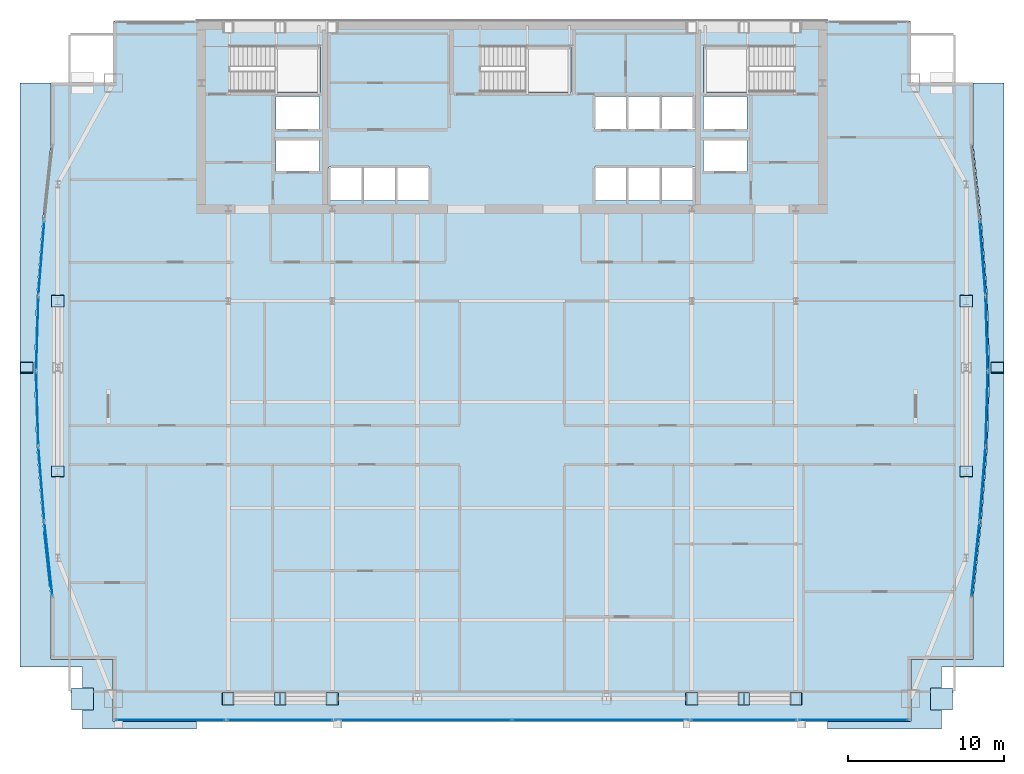
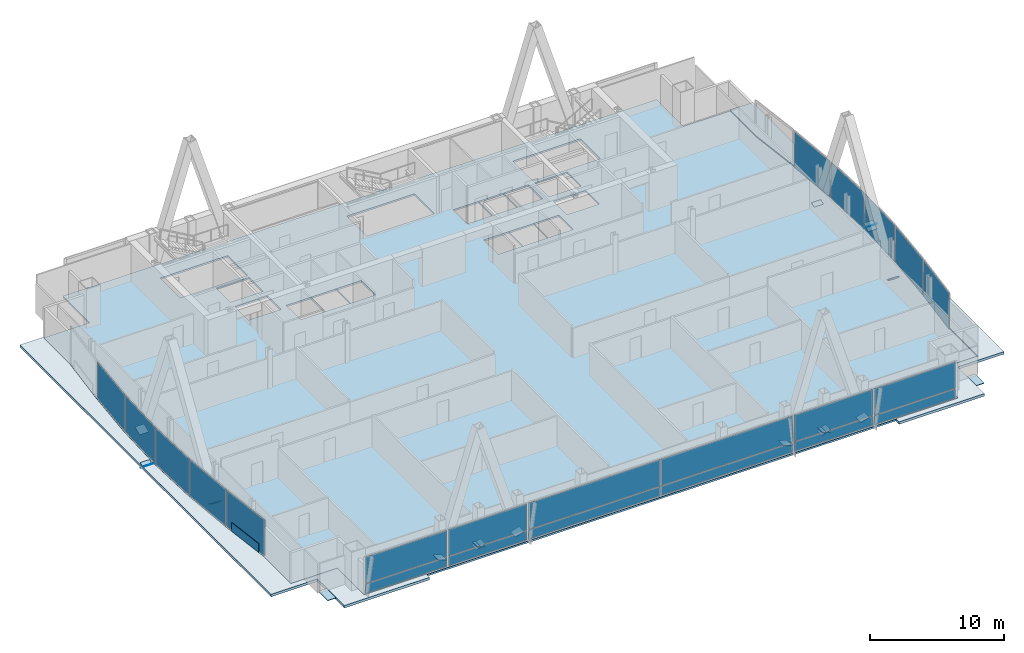
# One storey, part 25 of 32: 41 plates, 3 slabs, 15 elements without a shape of their own.
"""IFC4 building model written with IfcOpenShell, lengths in metres."""

from ifc_helpers import new_model, si_unit, direction, frame, origin, origin_2d, place, context, subcontext, project, spatial, polyline, rectangle, outline, extrude, material, layer, layer_set, type_object, element, aggregate, save


model = new_model("IFC4")

# Units and contexts
model_context = context("Model", 3, precision=1e-05, world=origin(), true_north=direction((0.0, 1.0)))
body_context = subcontext(model_context, "Body", "Model", "MODEL_VIEW")
ifc_project = project(units=[si_unit("LENGTHUNIT", "METRE"), si_unit("AREAUNIT", "SQUARE_METRE"), si_unit("VOLUMEUNIT", "CUBIC_METRE"), si_unit("PLANEANGLEUNIT", "RADIAN"), si_unit("MASSUNIT", "GRAM", prefix="KILO")], contexts=[model_context])

# Site, building, storey
site_placement = place(None, origin())
site = spatial("IfcSite", under=ifc_project, at=site_placement, CompositionType="ELEMENT")
building_placement = place(site_placement, origin())
building = spatial("IfcBuilding", under=site, at=building_placement, Name="Khoronbel Lancet Exchange", CompositionType="ELEMENT")
storey_placement = place(building_placement, frame((0.0, 0.0, 188.60009765625)))
storey = spatial("IfcBuildingStorey", under=building, at=storey_placement, Name="L47", CompositionType="ELEMENT", Elevation=188.60009765625)

# Curtain wall, plate
ifc_material_1 = material(Name="Low-E Solar Control Insulating Glass", Category="glass")
curtain_wall_type_1 = type_object("IfcCurtainWallType", Name="CW-4", PredefinedType="NOTDEFINED", material=ifc_material_1)
curtain_wall_1_placement = place(storey_placement, origin())
curtain_wall_1 = element("IfcCurtainWall", 1, at=curtain_wall_1_placement, inside=storey, type_object=curtain_wall_type_1, Name="Unitised curtain wall CW-L47-E04", PredefinedType="NOTDEFINED")
ifc_material_2 = material(Name="Bronze-Anodised Aluminium 6063-T6", Category="aluminium")
ifc_layer_1 = layer(ifc_material_2, 0.050048828125, Name="Bronze-Anodised Aluminium 6063-T6")
ifc_layer_set_1 = layer_set([ifc_layer_1], Name="Bronze-Anodised Aluminium 6063-T6")
plate_type_1 = type_object("IfcPlateType", Name="PLT-CSP1", PredefinedType="SHEET", material=ifc_layer_set_1)
plate_1_placement = place(storey_placement, frame((6.61767578125, 19.11669921875, 0.0498046875), z_axis=(0.0, 0.0, 1.0), x_axis=(-0.107990289834, 0.994151948799, 0.0)))
plate_1 = element("IfcPlate", 2, at=plate_1_placement, type_object=plate_type_1, Name="Insulated bronze spandrel cassette CW-L47-E04", PredefinedType="SHEET", context=body_context, shape_type="SweptSolid", body=[
    extrude(rectangle(XDim=3.40576171875, YDim=0.050048828125, at=origin_2d()), origin(), (0.0, 0.0, 1.0), 0.800048828125),
])

curtain_wall_2_placement = place(storey_placement, origin())
curtain_wall_2 = element("IfcCurtainWall", 3, at=curtain_wall_2_placement, inside=storey, type_object=curtain_wall_type_1, Name="Unitised curtain wall CW-L47-E05", PredefinedType="NOTDEFINED")
plate_2_placement = place(storey_placement, frame((6.22265625, 23.95654296875, 0.0849609375), z_axis=(0.0, 0.0, 1.0), x_axis=(-0.079254661653, 0.996854401909, 0.0)))
plate_2 = element("IfcPlate", 4, at=plate_2_placement, type_object=plate_type_1, Name="CW4 panel 1.1", PredefinedType="CURTAIN_PANEL", context=body_context, shape_type="SweptSolid", body=[
    extrude(rectangle(XDim=4.695068359375, YDim=0.0380859375, at=origin_2d()), origin(), (0.0, 0.0, 1.0), 3.27001953125),
])
aggregate(curtain_wall_2, [plate_2])

curtain_wall_3_placement = place(storey_placement, origin())
curtain_wall_3 = element("IfcCurtainWall", 5, at=curtain_wall_3_placement, inside=storey, type_object=curtain_wall_type_1, Name="Unitised curtain wall CW-L47-E06", PredefinedType="NOTDEFINED")
plate_3_placement = place(storey_placement, frame((5.960205078125, 28.785888671875, 0.0849609375), z_axis=(0.0, 0.0, 1.0), x_axis=(-0.029107039142, 0.999576300376, 0.0)))
plate_3 = element("IfcPlate", 6, at=plate_3_placement, type_object=plate_type_1, Name="CW4 panel 1.1", PredefinedType="CURTAIN_PANEL", context=body_context, shape_type="SweptSolid", body=[
    extrude(rectangle(XDim=4.680419921875, YDim=0.0380859375, at=origin_2d()), origin(), (0.0, 0.0, 1.0), 3.27001953125),
])
aggregate(curtain_wall_3, [plate_3])

curtain_wall_4_placement = place(storey_placement, origin())
curtain_wall_4 = element("IfcCurtainWall", 7, at=curtain_wall_4_placement, inside=storey, type_object=curtain_wall_type_1, Name="Unitised curtain wall CW-L47-E07", PredefinedType="NOTDEFINED")
plate_4_placement = place(storey_placement, frame((5.960205078125, 33.6142578125, 0.0849609375), z_axis=(0.0, 0.0, 1.0), x_axis=(0.029107039142, 0.999576300376, 0.0)))
plate_4 = element("IfcPlate", 8, at=plate_4_placement, type_object=plate_type_1, Name="CW4 panel 1.1", PredefinedType="CURTAIN_PANEL", context=body_context, shape_type="SweptSolid", body=[
    extrude(rectangle(XDim=4.680419921875, YDim=0.0380859375, at=origin_2d()), origin(), (0.0, 0.0, 1.0), 3.27001953125),
])
aggregate(curtain_wall_4, [plate_4])

curtain_wall_5_placement = place(storey_placement, origin())
curtain_wall_5 = element("IfcCurtainWall", 9, at=curtain_wall_5_placement, inside=storey, type_object=curtain_wall_type_1, Name="Unitised curtain wall CW-L47-E08", PredefinedType="NOTDEFINED")
plate_5_placement = place(storey_placement, frame((6.22265625, 38.443359375, 0.0849609375), z_axis=(0.0, 0.0, 1.0), x_axis=(0.079254661653, 0.996854401909, 0.0)))
plate_5 = element("IfcPlate", 10, at=plate_5_placement, type_object=plate_type_1, Name="CW4 panel 1.1", PredefinedType="CURTAIN_PANEL", context=body_context, shape_type="SweptSolid", body=[
    extrude(rectangle(XDim=4.695068359375, YDim=0.0380859375, at=origin_2d()), origin(), (0.0, 0.0, 1.0), 3.27001953125),
])
aggregate(curtain_wall_5, [plate_5])

curtain_wall_6_placement = place(storey_placement, origin())
curtain_wall_6 = element("IfcCurtainWall", 11, at=curtain_wall_6_placement, inside=storey, type_object=curtain_wall_type_1, Name="Unitised curtain wall CW-L47-E18", PredefinedType="NOTDEFINED")
plate_6_placement = place(storey_placement, frame((66.677490234375, 38.443359375, 0.0849609375), z_axis=(0.0, 0.0, 1.0), x_axis=(0.079254661653, -0.996854401909, 0.0)))
plate_6 = element("IfcPlate", 12, at=plate_6_placement, type_object=plate_type_1, Name="CW4 panel 1.1", PredefinedType="CURTAIN_PANEL", context=body_context, shape_type="SweptSolid", body=[
    extrude(rectangle(XDim=4.695068359375, YDim=0.0380859375, at=origin_2d()), origin(), (0.0, 0.0, 1.0), 3.27001953125),
])
aggregate(curtain_wall_6, [plate_6])

curtain_wall_7_placement = place(storey_placement, origin())
curtain_wall_7 = element("IfcCurtainWall", 13, at=curtain_wall_7_placement, inside=storey, type_object=curtain_wall_type_1, Name="Unitised curtain wall CW-L47-E19", PredefinedType="NOTDEFINED")
plate_7_placement = place(storey_placement, frame((66.939697265625, 33.6142578125, 0.0849609375), z_axis=(0.0, 0.0, 1.0), x_axis=(0.029107039142, -0.999576300376, 0.0)))
plate_7 = element("IfcPlate", 14, at=plate_7_placement, type_object=plate_type_1, Name="CW4 panel 1.1", PredefinedType="CURTAIN_PANEL", context=body_context, shape_type="SweptSolid", body=[
    extrude(rectangle(XDim=4.680419921875, YDim=0.0380859375, at=origin_2d()), origin(), (0.0, 0.0, 1.0), 3.27001953125),
])
aggregate(curtain_wall_7, [plate_7])

curtain_wall_8_placement = place(storey_placement, origin())
curtain_wall_8 = element("IfcCurtainWall", 15, at=curtain_wall_8_placement, inside=storey, type_object=curtain_wall_type_1, Name="Unitised curtain wall CW-L47-E20", PredefinedType="NOTDEFINED")
plate_8_placement = place(storey_placement, frame((66.939697265625, 28.785888671875, 0.0849609375), z_axis=(0.0, 0.0, 1.0), x_axis=(-0.029107039142, -0.999576300376, 0.0)))
plate_8 = element("IfcPlate", 16, at=plate_8_placement, type_object=plate_type_1, Name="CW4 panel 1.1", PredefinedType="CURTAIN_PANEL", context=body_context, shape_type="SweptSolid", body=[
    extrude(rectangle(XDim=4.680419921875, YDim=0.0380859375, at=origin_2d()), origin(), (0.0, 0.0, 1.0), 3.27001953125),
])
aggregate(curtain_wall_8, [plate_8])

curtain_wall_9_placement = place(storey_placement, origin())
curtain_wall_9 = element("IfcCurtainWall", 17, at=curtain_wall_9_placement, inside=storey, type_object=curtain_wall_type_1, Name="Unitised curtain wall CW-L47-E21", PredefinedType="NOTDEFINED")
plate_9_placement = place(storey_placement, frame((66.677490234375, 23.95654296875, 0.0849609375), z_axis=(0.0, 0.0, 1.0), x_axis=(-0.079254661653, -0.996854401909, 0.0)))
plate_9 = element("IfcPlate", 18, at=plate_9_placement, type_object=plate_type_1, Name="CW4 panel 1.1", PredefinedType="CURTAIN_PANEL", context=body_context, shape_type="SweptSolid", body=[
    extrude(rectangle(XDim=4.695068359375, YDim=0.0380859375, at=origin_2d()), origin(), (0.0, 0.0, 1.0), 3.27001953125),
])
aggregate(curtain_wall_9, [plate_9])

# Curtain wall, plates
curtain_wall_type_2 = type_object("IfcCurtainWallType", Name="CW-3", PredefinedType="NOTDEFINED", material=ifc_material_1)
curtain_wall_10_placement = place(storey_placement, origin())
curtain_wall_10 = element("IfcCurtainWall", 19, at=curtain_wall_10_placement, inside=storey, type_object=curtain_wall_type_2, Name="Unitised curtain wall CW-L47-SWB", PredefinedType="NOTDEFINED")
plate_10_placement = place(storey_placement, frame((21.550048828125, 8.7900390625, 0.0849609375), z_axis=(0.0, 0.0, 1.0), x_axis=(1.0, 0.0, 0.0)))
plate_10 = element("IfcPlate", 20, at=plate_10_placement, type_object=plate_type_1, Name="CW3 panel 1.1", PredefinedType="CURTAIN_PANEL", context=body_context, shape_type="SweptSolid", body=[
    extrude(rectangle(XDim=6.72998046875, YDim=0.0380859375, at=origin_2d()), origin(), (0.0, 0.0, 1.0), 0.822509765625),
])
plate_11_placement = place(storey_placement, frame((21.550048828125, 8.7900390625, 0.9921875), z_axis=(0.0, 0.0, 1.0), x_axis=(1.0, 0.0, 0.0)))
plate_11 = element("IfcPlate", 21, at=plate_11_placement, type_object=plate_type_1, Name="CW3 panel 1.2", PredefinedType="CURTAIN_PANEL", context=body_context, shape_type="SweptSolid", body=[
    extrude(rectangle(XDim=6.72998046875, YDim=0.0380859375, at=origin_2d()), origin(), (0.0, 0.0, 1.0), 2.362548828125),
])
aggregate(curtain_wall_10, [plate_10, plate_11])

curtain_wall_11_placement = place(storey_placement, origin())
curtain_wall_11 = element("IfcCurtainWall", 22, at=curtain_wall_11_placement, inside=storey, type_object=curtain_wall_type_2, Name="Unitised curtain wall CW-L47-SEB", PredefinedType="NOTDEFINED")
plate_12_placement = place(storey_placement, frame((51.35009765625, 8.7900390625, 0.0849609375), z_axis=(0.0, 0.0, 1.0), x_axis=(1.0, 0.0, 0.0)))
plate_12 = element("IfcPlate", 23, at=plate_12_placement, type_object=plate_type_1, Name="CW3 panel 1.1", PredefinedType="CURTAIN_PANEL", context=body_context, shape_type="SweptSolid", body=[
    extrude(rectangle(XDim=6.72998046875, YDim=0.0380859375, at=origin_2d()), origin(), (0.0, 0.0, 1.0), 0.822509765625),
])
plate_13_placement = place(storey_placement, frame((51.35009765625, 8.7900390625, 0.9921875), z_axis=(0.0, 0.0, 1.0), x_axis=(1.0, 0.0, 0.0)))
plate_13 = element("IfcPlate", 24, at=plate_13_placement, type_object=plate_type_1, Name="CW3 panel 1.2", PredefinedType="CURTAIN_PANEL", context=body_context, shape_type="SweptSolid", body=[
    extrude(rectangle(XDim=6.72998046875, YDim=0.0380859375, at=origin_2d()), origin(), (0.0, 0.0, 1.0), 2.362548828125),
])
aggregate(curtain_wall_11, [plate_12, plate_13])

curtain_wall_12_placement = place(storey_placement, origin())
curtain_wall_12 = element("IfcCurtainWall", 25, at=curtain_wall_12_placement, inside=storey, type_object=curtain_wall_type_2, Name="Unitised curtain wall CW-L47-SWV", PredefinedType="NOTDEFINED")
ifc_layer_2 = layer(ifc_material_1, 0.035888671875, Name="Low-E Solar Control Insulating Glass")
ifc_layer_set_2 = layer_set([ifc_layer_2], Name="Low-E Solar Control Insulating Glass")
plate_type_2 = type_object("IfcPlateType", Name="PLT-CWP1", PredefinedType="CURTAIN_PANEL", material=ifc_layer_set_2)
plate_14_placement = place(storey_placement, frame((14.52001953125, 8.7900390625, 0.0849609375), z_axis=(0.0, 0.0, 1.0), x_axis=(1.0, 0.0, 0.0)))
plate_14 = element("IfcPlate", 26, at=plate_14_placement, type_object=plate_type_2, Name="CW3 panel 1.1", PredefinedType="CURTAIN_PANEL", context=body_context, shape_type="SweptSolid", body=[
    extrude(rectangle(XDim=6.989990234375, YDim=0.0380859375, at=origin_2d()), origin(), (0.0, 0.0, 1.0), 0.822509765625),
])
plate_15_placement = place(storey_placement, frame((14.52001953125, 8.7900390625, 0.9921875), z_axis=(0.0, 0.0, 1.0), x_axis=(1.0, 0.0, 0.0)))
plate_15 = element("IfcPlate", 27, at=plate_15_placement, type_object=plate_type_2, Name="CW3 panel 1.2", PredefinedType="CURTAIN_PANEL", context=body_context, shape_type="SweptSolid", body=[
    extrude(rectangle(XDim=6.989990234375, YDim=0.0380859375, at=origin_2d()), origin(), (0.0, 0.0, 1.0), 2.362548828125),
])
aggregate(curtain_wall_12, [plate_14, plate_15])

curtain_wall_13_placement = place(storey_placement, origin())
curtain_wall_13 = element("IfcCurtainWall", 28, at=curtain_wall_13_placement, inside=storey, type_object=curtain_wall_type_2, Name="Unitised curtain wall CW-L47-SCV", PredefinedType="NOTDEFINED")
plate_16_placement = place(storey_placement, frame((30.746337890625, 8.7900390625, 0.0849609375), z_axis=(0.0, 0.0, 1.0), x_axis=(1.0, 0.0, 0.0)))
plate_16 = element("IfcPlate", 29, at=plate_16_placement, type_object=plate_type_2, Name="CW3 panel 1.1", PredefinedType="CURTAIN_PANEL", context=body_context, shape_type="SweptSolid", body=[
    extrude(rectangle(XDim=11.322509765625, YDim=0.0380859375, at=origin_2d()), origin(), (0.0, 0.0, 1.0), 0.822509765625),
])
plate_17_placement = place(storey_placement, frame((30.746337890625, 8.7900390625, 0.9921875), z_axis=(0.0, 0.0, 1.0), x_axis=(1.0, 0.0, 0.0)))
plate_17 = element("IfcPlate", 30, at=plate_17_placement, type_object=plate_type_2, Name="CW3 panel 1.2", PredefinedType="CURTAIN_PANEL", context=body_context, shape_type="SweptSolid", body=[
    extrude(rectangle(XDim=11.322509765625, YDim=0.0380859375, at=origin_2d()), origin(), (0.0, 0.0, 1.0), 2.362548828125),
])
plate_18_placement = place(storey_placement, frame((42.15380859375, 8.7900390625, 0.0849609375), z_axis=(0.0, 0.0, 1.0), x_axis=(1.0, 0.0, 0.0)))
plate_18 = element("IfcPlate", 31, at=plate_18_placement, type_object=plate_type_2, Name="CW3 panel 2.1", PredefinedType="CURTAIN_PANEL", context=body_context, shape_type="SweptSolid", body=[
    extrude(rectangle(XDim=11.322509765625, YDim=0.0380859375, at=origin_2d()), origin(), (0.0, 0.0, 1.0), 0.822509765625),
])
plate_19_placement = place(storey_placement, frame((42.15380859375, 8.7900390625, 0.9921875), z_axis=(0.0, 0.0, 1.0), x_axis=(1.0, 0.0, 0.0)))
plate_19 = element("IfcPlate", 32, at=plate_19_placement, type_object=plate_type_2, Name="CW3 panel 2.2", PredefinedType="CURTAIN_PANEL", context=body_context, shape_type="SweptSolid", body=[
    extrude(rectangle(XDim=11.322509765625, YDim=0.0380859375, at=origin_2d()), origin(), (0.0, 0.0, 1.0), 2.362548828125),
])
aggregate(curtain_wall_13, [plate_16, plate_17, plate_18, plate_19])

curtain_wall_14_placement = place(storey_placement, origin())
curtain_wall_14 = element("IfcCurtainWall", 33, at=curtain_wall_14_placement, inside=storey, type_object=curtain_wall_type_2, Name="Unitised curtain wall CW-L47-SEV", PredefinedType="NOTDEFINED")
plate_20_placement = place(storey_placement, frame((58.3798828125, 8.7900390625, 0.0849609375), z_axis=(0.0, 0.0, 1.0), x_axis=(1.0, 0.0, 0.0)))
plate_20 = element("IfcPlate", 34, at=plate_20_placement, type_object=plate_type_2, Name="CW3 panel 1.1", PredefinedType="CURTAIN_PANEL", context=body_context, shape_type="SweptSolid", body=[
    extrude(rectangle(XDim=6.989990234375, YDim=0.0380859375, at=origin_2d()), origin(), (0.0, 0.0, 1.0), 0.822509765625),
])
plate_21_placement = place(storey_placement, frame((58.3798828125, 8.7900390625, 0.9921875), z_axis=(0.0, 0.0, 1.0), x_axis=(1.0, 0.0, 0.0)))
plate_21 = element("IfcPlate", 35, at=plate_21_placement, type_object=plate_type_2, Name="CW3 panel 1.2", PredefinedType="CURTAIN_PANEL", context=body_context, shape_type="SweptSolid", body=[
    extrude(rectangle(XDim=6.989990234375, YDim=0.0380859375, at=origin_2d()), origin(), (0.0, 0.0, 1.0), 2.362548828125),
])
aggregate(curtain_wall_14, [plate_20, plate_21])

# Plate
ifc_material_3 = material(Name="Ceramic-Fritted Laminated Insulating Glass", Category="glass")
ifc_layer_3 = layer(ifc_material_3, 0.0419921875, Name="Ceramic-Fritted Laminated Insulating Glass")
ifc_layer_set_3 = layer_set([ifc_layer_3], Name="Ceramic-Fritted Laminated Insulating Glass")
plate_type_3 = type_object("IfcPlateType", Name="PLT-CWP2", PredefinedType="CURTAIN_PANEL", material=ifc_layer_set_3)
plate_22_placement = place(storey_placement, frame((6.67724609375, 19.123291015625, 0.0849609375), z_axis=(0.0, 0.0, 1.0), x_axis=(-0.107990289834, 0.994151948799, 0.0)))
plate_22 = element("IfcPlate", 36, at=plate_22_placement, type_object=plate_type_3, Name="CW4 panel 1.1", PredefinedType="CURTAIN_PANEL", context=body_context, shape_type="SweptSolid", body=[
    extrude(rectangle(XDim=4.71533203125, YDim=0.0380859375, at=origin_2d()), origin(), (0.0, 0.0, 1.0), 3.27001953125),
])

aggregate(curtain_wall_1, [plate_22, plate_1])

# Curtain wall, plate
curtain_wall_15_placement = place(storey_placement, origin())
curtain_wall_15 = element("IfcCurtainWall", 37, at=curtain_wall_15_placement, inside=storey, type_object=curtain_wall_type_1, Name="Unitised curtain wall CW-L47-E22", PredefinedType="NOTDEFINED")
plate_23_placement = place(storey_placement, frame((66.22265625, 19.123291015625, 0.0849609375), z_axis=(0.0, 0.0, 1.0), x_axis=(-0.107990289834, -0.994151948799, 0.0)))
plate_23 = element("IfcPlate", 38, at=plate_23_placement, type_object=plate_type_3, Name="CW4 panel 1.1", PredefinedType="CURTAIN_PANEL", context=body_context, shape_type="SweptSolid", body=[
    extrude(rectangle(XDim=4.71533203125, YDim=0.0380859375, at=origin_2d()), origin(), (0.0, 0.0, 1.0), 3.27001953125),
])
aggregate(curtain_wall_15, [plate_23])

# Plates
ifc_material_4 = material(Name="Steel S460", Category="steel")
ifc_layer_4 = layer(ifc_material_4, 0.044921875, Name="Steel S460")
ifc_layer_set_4 = layer_set([ifc_layer_4], Name="Steel S460")
plate_type_4 = type_object("IfcPlateType", Name="PLT-ECP1", PredefinedType="USERDEFINED", material=ifc_layer_set_4)
plate_24_placement = place(storey_placement, frame((0.0, 0.0, -0.01220703125)))
element("IfcPlate", 39, at=plate_24_placement, inside=storey, type_object=plate_type_4, Name="Hollow end cap plate PLT-CAP-COL-L46-MC-SW-TOP", ObjectType="STIFFENER_PLATE", PredefinedType="USERDEFINED", context=body_context, shape_type="SweptSolid", body=[
    extrude(outline(polyline([(8.14501953125, 9.445068359375), (9.554931640625, 9.445068359375), (9.554931640625, 10.85498046875), (8.14501953125, 10.85498046875), (8.14501953125, 9.445068359375)])), origin(), (0.0, 0.0, 1.0), 0.045166015625),
])
plate_25_placement = place(storey_placement, frame((0.0, 0.0, -0.01220703125)))
element("IfcPlate", 40, at=plate_25_placement, inside=storey, type_object=plate_type_4, Name="Hollow end cap plate PLT-CAP-COL-L46-MC-SE-TOP", ObjectType="STIFFENER_PLATE", PredefinedType="USERDEFINED", context=body_context, shape_type="SweptSolid", body=[
    extrude(outline(polyline([(63.344970703125, 9.445068359375), (64.7548828125, 9.445068359375), (64.7548828125, 10.85498046875), (63.344970703125, 10.85498046875), (63.344970703125, 9.445068359375)])), origin(), (0.0, 0.0, 1.0), 0.045166015625),
])
for number, where, z_axis, x_axis, name in (
    (41, (21.9443359375, 9.75, -0.12353515625), (0.384875433743, 0.0, 0.922968526279), (0.0, 1.0, 0.0), "Hollow end cap plate PLT-CAP-MEM-MB-T15-S-W-L-1"),
    (42, (21.1806640625, 10.550048828125, -0.12353515625), (-0.384875433743, 0.0, 0.922968526279), (0.0, -1.0, 0.0), "Hollow end cap plate PLT-CAP-MEM-MB-T15-S-W-R-1"),
):
    element("IfcPlate", number, at=place(storey_placement, frame(where, z_axis=z_axis, x_axis=x_axis)), inside=storey, type_object=plate_type_4, Name=name, ObjectType="STIFFENER_PLATE", PredefinedType="USERDEFINED", context=body_context, shape_type="SweptSolid", body=[
        extrude(outline(polyline([(0.0, 0.0), (0.800048828125, 0.0), (0.800048828125, 0.7998046875), (0.0, 0.7998046875), (0.0, 0.0)])), origin(), (0.0, 0.0, -1.0), 0.044921875),
    ])
plate_26_placement = place(storey_placement, frame((51.719482421875, 9.75, -0.12353515625), z_axis=(0.384767040928, 0.0, 0.923013718325), x_axis=(0.0, 1.0, 0.0)))
element("IfcPlate", 43, at=plate_26_placement, inside=storey, type_object=plate_type_4, Name="Hollow end cap plate PLT-CAP-MEM-MB-T15-S-E-L-1", ObjectType="STIFFENER_PLATE", PredefinedType="USERDEFINED", context=body_context, shape_type="SweptSolid", body=[
    extrude(outline(polyline([(0.0, 0.0), (0.800048828125, 0.0), (0.800048828125, 0.800048828125), (0.0, 0.800048828125), (0.0, 0.0)])), origin(), (0.0, 0.0, -1.0), 0.044921875),
])
plate_27_placement = place(storey_placement, frame((50.95556640625, 10.550048828125, -0.12353515625), z_axis=(-0.384875433743, 0.0, 0.922968526279), x_axis=(0.0, -1.0, 0.0)))
element("IfcPlate", 44, at=plate_27_placement, inside=storey, type_object=plate_type_4, Name="Hollow end cap plate PLT-CAP-MEM-MB-T15-S-E-R-1", ObjectType="STIFFENER_PLATE", PredefinedType="USERDEFINED", context=body_context, shape_type="SweptSolid", body=[
    extrude(outline(polyline([(0.0, 0.0), (0.800048828125, 0.0), (0.800048828125, 0.7998046875), (0.0, 0.7998046875), (0.0, 0.0)])), origin(), (0.0, 0.0, -1.0), 0.044921875),
])
for number, where, z_axis, x_axis, name in (
    (45, (5.669921875, 31.753173828125, -0.23095703125), (0.0, 0.640604572567, 0.767870940723), (-1.0, 0.0, 0.0), "Hollow end cap plate PLT-CAP-MEM-MB-T15-W-P-L-1"),
    (46, (4.8701171875, 31.056640625, -0.159423828125), (0.0, -0.47122173768, 0.88201478102), (1.0, 0.0, 0.0), "Hollow end cap plate PLT-CAP-MEM-MB-T15-W-P-R-1"),
):
    element("IfcPlate", number, at=place(storey_placement, frame(where, z_axis=z_axis, x_axis=x_axis)), inside=storey, type_object=plate_type_4, Name=name, ObjectType="STIFFENER_PLATE", PredefinedType="USERDEFINED", context=body_context, shape_type="SweptSolid", body=[
        extrude(outline(polyline([(0.0, 0.0), (0.7998046875, 0.0), (0.7998046875, 0.800048828125), (0.0, 0.800048828125), (0.0, 0.0)])), origin(), (0.0, 0.0, -1.0), 0.044921875),
    ])
for number, where, z_axis, x_axis, name in (
    (47, (68.030029296875, 31.753173828125, -0.23095703125), (0.0, 0.640604572567, 0.767870940723), (-1.0, 0.0, 0.0), "Hollow end cap plate PLT-CAP-MEM-MB-T15-E-P-L-1"),
    (48, (67.22998046875, 31.056640625, -0.159423828125), (0.0, -0.47122173768, 0.88201478102), (1.0, 0.0, 0.0), "Hollow end cap plate PLT-CAP-MEM-MB-T15-E-P-R-1"),
):
    element("IfcPlate", number, at=place(storey_placement, frame(where, z_axis=z_axis, x_axis=x_axis)), inside=storey, type_object=plate_type_4, Name=name, ObjectType="STIFFENER_PLATE", PredefinedType="USERDEFINED", context=body_context, shape_type="SweptSolid", body=[
        extrude(outline(polyline([(0.0, 0.0), (0.800048828125, 0.0), (0.800048828125, 0.800048828125), (0.0, 0.800048828125), (0.0, 0.0)])), origin(), (0.0, 0.0, -1.0), 0.044921875),
    ])
for number, where, z_axis, x_axis, name in (
    (49, (18.610595703125, 9.75, -0.106689453125), (0.295179616828, 0.0, 0.955441779393), (0.0, 1.0, 0.0), "Hollow end cap plate PLT-CAP-MEM-MB-T16-S-W-L-0"),
    (50, (24.514404296875, 10.550048828125, -0.106689453125), (-0.295179616828, 0.0, 0.955441779393), (0.0, -1.0, 0.0), "Hollow end cap plate PLT-CAP-MEM-MB-T16-S-W-R-0"),
):
    element("IfcPlate", number, at=place(storey_placement, frame(where, z_axis=z_axis, x_axis=x_axis)), inside=storey, type_object=plate_type_4, Name=name, ObjectType="STIFFENER_PLATE", PredefinedType="USERDEFINED", context=body_context, shape_type="SweptSolid", body=[
        extrude(outline(polyline([(0.0, 0.0), (0.800048828125, 0.0), (0.800048828125, 0.7998046875), (0.0, 0.7998046875), (0.0, 0.0)])), origin(), (0.0, 0.0, -1.0), 0.044921875),
    ])
for number, where, z_axis, x_axis, name in (
    (51, (48.3857421875, 9.75, -0.106689453125), (0.295093551173, 0.0, 0.955468364759), (0.0, 1.0, 0.0), "Hollow end cap plate PLT-CAP-MEM-MB-T16-S-E-L-0"),
    (52, (54.289306640625, 10.550048828125, -0.106689453125), (-0.295093551173, 0.0, 0.955468364759), (0.0, -1.0, 0.0), "Hollow end cap plate PLT-CAP-MEM-MB-T16-S-E-R-0"),
):
    element("IfcPlate", number, at=place(storey_placement, frame(where, z_axis=z_axis, x_axis=x_axis)), inside=storey, type_object=plate_type_4, Name=name, ObjectType="STIFFENER_PLATE", PredefinedType="USERDEFINED", context=body_context, shape_type="SweptSolid", body=[
        extrude(outline(polyline([(0.0, 0.0), (0.800048828125, 0.0), (0.800048828125, 0.800048828125), (0.0, 0.800048828125), (0.0, 0.0)])), origin(), (0.0, 0.0, -1.0), 0.044921875),
    ])
for number, where, z_axis, x_axis, name in (
    (53, (7.669921875, 25.0966796875, -0.2001953125), (0.0, 0.525713722958, 0.850661555199), (-1.0, 0.0, 0.0), "Hollow end cap plate PLT-CAP-MEM-MB-T16-W-P-L-0"),
    (54, (6.8701171875, 35.32373046875, -0.13623046875), (0.0, -0.368020969419, 0.92981749073), (1.0, 0.0, 0.0), "Hollow end cap plate PLT-CAP-MEM-MB-T16-W-P-R-0"),
):
    element("IfcPlate", number, at=place(storey_placement, frame(where, z_axis=z_axis, x_axis=x_axis)), inside=storey, type_object=plate_type_4, Name=name, ObjectType="STIFFENER_PLATE", PredefinedType="USERDEFINED", context=body_context, shape_type="SweptSolid", body=[
        extrude(outline(polyline([(0.0, 0.0), (0.7998046875, 0.0), (0.7998046875, 0.800048828125), (0.0, 0.800048828125), (0.0, 0.0)])), origin(), (0.0, 0.0, -1.0), 0.044921875),
    ])
for number, where, z_axis, x_axis, name in (
    (55, (66.030029296875, 25.0966796875, -0.2001953125), (0.0, 0.525713722958, 0.850661555199), (-1.0, 0.0, 0.0), "Hollow end cap plate PLT-CAP-MEM-MB-T16-E-P-L-0"),
    (56, (65.22998046875, 35.32373046875, -0.13623046875), (0.0, -0.368020969419, 0.92981749073), (1.0, 0.0, 0.0), "Hollow end cap plate PLT-CAP-MEM-MB-T16-E-P-R-0"),
):
    element("IfcPlate", number, at=place(storey_placement, frame(where, z_axis=z_axis, x_axis=x_axis)), inside=storey, type_object=plate_type_4, Name=name, ObjectType="STIFFENER_PLATE", PredefinedType="USERDEFINED", context=body_context, shape_type="SweptSolid", body=[
        extrude(outline(polyline([(0.0, 0.0), (0.800048828125, 0.0), (0.800048828125, 0.800048828125), (0.0, 0.800048828125), (0.0, 0.0)])), origin(), (0.0, 0.0, -1.0), 0.044921875),
    ])

# Slabs
ifc_material_5 = material(Name="Concrete C40/50", Category="concrete")
ifc_layer_5 = layer(ifc_material_5, 0.159912109375, Name="Concrete C40/50")
ifc_layer_set_5 = layer_set([ifc_layer_5], Name="Concrete C40/50")
slab_type_1 = type_object("IfcSlabType", Name="SL-FL160", PredefinedType="FLOOR", material=ifc_layer_set_5)
slab_1_placement = place(storey_placement, frame((0.0, 0.0, -0.16015625)))
element("IfcSlab", 57, at=slab_1_placement, inside=storey, type_object=slab_type_1, Name="Level L47 composite structural floor slab", PredefinedType="FLOOR", context=body_context, shape_type="SweptSolid", body=[
    extrude(outline(polyline([(10.85009765625, 8.699951171875), (62.050048828125, 8.699951171875), (62.050048828125, 12.699951171875), (66.050048828125, 12.699951171875), (66.050048828125, 16.699951171875), (66.574951171875, 21.533203125), (66.959228515625, 26.36669921875), (67.10009765625, 31.199951171875), (66.959228515625, 36.033203125), (66.574951171875, 40.86669921875), (66.050048828125, 45.699951171875), (66.050048828125, 49.699951171875), (62.050048828125, 49.699951171875), (62.050048828125, 53.699951171875), (10.85009765625, 53.699951171875), (10.85009765625, 49.699951171875), (6.85009765625, 49.699951171875), (6.85009765625, 45.699951171875), (6.324951171875, 40.86669921875), (5.940673828125, 36.033203125), (5.800048828125, 31.199951171875), (5.940673828125, 26.36669921875), (6.324951171875, 21.533203125), (6.85009765625, 16.699951171875), (6.85009765625, 12.699951171875), (10.85009765625, 12.699951171875), (10.85009765625, 8.699951171875)]), holes=[polyline([(18.324951171875, 49.1201171875), (24.14990234375, 49.1201171875), (24.14990234375, 52.10009765625), (18.324951171875, 52.10009765625), (18.324951171875, 49.1201171875)]), polyline([(48.75, 49.1201171875), (54.574951171875, 49.1201171875), (54.574951171875, 52.10009765625), (48.75, 52.10009765625), (48.75, 49.1201171875)]), polyline([(34.425048828125, 49.1201171875), (40.25, 49.1201171875), (40.25, 52.10009765625), (34.425048828125, 52.10009765625), (34.425048828125, 49.1201171875)]), polyline([(24.699951171875, 42.14990234375), (26.840087890625, 42.14990234375), (26.840087890625, 44.300048828125), (24.699951171875, 44.300048828125), (24.699951171875, 42.14990234375)]), polyline([(26.860107421875, 42.14990234375), (29.0, 42.14990234375), (29.0, 44.300048828125), (26.860107421875, 44.300048828125), (26.860107421875, 42.14990234375)]), polyline([(29.02001953125, 42.14990234375), (31.159912109375, 42.14990234375), (31.159912109375, 44.300048828125), (29.02001953125, 44.300048828125), (29.02001953125, 42.14990234375)]), polyline([(41.739990234375, 46.75), (43.8798828125, 46.75), (43.8798828125, 48.85009765625), (41.739990234375, 48.85009765625), (41.739990234375, 46.75)]), polyline([(43.89990234375, 46.75), (46.0400390625, 46.75), (46.0400390625, 48.85009765625), (43.89990234375, 48.85009765625), (43.89990234375, 46.75)]), polyline([(46.06005859375, 46.75), (48.199951171875, 46.75), (48.199951171875, 48.85009765625), (46.06005859375, 48.85009765625), (46.06005859375, 46.75)]), polyline([(41.739990234375, 42.14990234375), (43.8798828125, 42.14990234375), (43.8798828125, 44.300048828125), (41.739990234375, 44.300048828125), (41.739990234375, 42.14990234375)]), polyline([(43.89990234375, 42.14990234375), (46.0400390625, 42.14990234375), (46.0400390625, 44.300048828125), (43.89990234375, 44.300048828125), (43.89990234375, 42.14990234375)]), polyline([(46.06005859375, 42.14990234375), (48.199951171875, 42.14990234375), (48.199951171875, 44.300048828125), (46.06005859375, 44.300048828125), (46.06005859375, 42.14990234375)]), polyline([(21.300048828125, 46.75), (24.10009765625, 46.75), (24.10009765625, 48.85009765625), (21.300048828125, 48.85009765625), (21.300048828125, 46.75)]), polyline([(48.75, 46.75), (51.550048828125, 46.75), (51.550048828125, 48.85009765625), (48.75, 48.85009765625), (48.75, 46.75)]), polyline([(21.300048828125, 44.050048828125), (24.10009765625, 44.050048828125), (24.10009765625, 46.050048828125), (21.300048828125, 46.050048828125), (21.300048828125, 44.050048828125)]), polyline([(48.75, 44.050048828125), (51.550048828125, 44.050048828125), (51.550048828125, 46.050048828125), (48.75, 46.050048828125), (48.75, 44.050048828125)])]), origin(), (0.0, 0.0, 1.0), 0.16015625),
])
ifc_layer_6 = layer(ifc_material_5, 0.22998046875, Name="Concrete C40/50")
ifc_layer_set_6 = layer_set([ifc_layer_6], Name="Concrete C40/50")
slab_type_2 = type_object("IfcSlabType", Name="SL-ROOF220", PredefinedType="ROOF", material=ifc_layer_set_6)
slab_2_placement = place(storey_placement, frame((0.0, 0.0, -0.16015625)))
element("IfcSlab", 58, at=slab_2_placement, inside=storey, type_object=slab_type_2, Name="Level L47 setback roof slab 1", PredefinedType="ROOF", context=body_context, shape_type="SweptSolid", body=[
    extrude(outline(polyline([(8.85009765625, 8.199951171875), (8.85009765625, 12.199951171875), (4.85009765625, 12.199951171875), (4.85009765625, 16.199951171875), (4.85009765625, 45.699951171875), (4.85009765625, 49.699951171875), (6.830078125, 49.699951171875), (6.830078125, 45.701171875), (6.30517578125, 40.868896484375), (6.30517578125, 40.868408203125), (5.9208984375, 36.034912109375), (5.920654296875, 36.033935546875), (5.780029296875, 31.20068359375), (5.780029296875, 31.199462890625), (5.920654296875, 26.3662109375), (5.9208984375, 26.364990234375), (6.30517578125, 21.53173828125), (6.30517578125, 21.531005859375), (6.830078125, 16.698974609375), (6.830078125, 12.699951171875), (6.830078125, 12.697998046875), (6.830322265625, 12.696044921875), (6.830810546875, 12.694091796875), (6.83154296875, 12.6923828125), (6.83251953125, 12.690673828125), (6.83349609375, 12.68896484375), (6.83447265625, 12.687255859375), (6.8359375, 12.685791015625), (6.83740234375, 12.6845703125), (6.8388671875, 12.683349609375), (6.840576171875, 12.682373046875), (6.84228515625, 12.681396484375), (6.84423828125, 12.680908203125), (6.84619140625, 12.680419921875), (6.847900390625, 12.68017578125), (6.85009765625, 12.679931640625), (10.830078125, 12.679931640625), (10.830078125, 8.699951171875), (10.830078125, 8.697998046875), (10.830322265625, 8.696044921875), (10.830810546875, 8.694091796875), (10.83154296875, 8.6923828125), (10.83251953125, 8.690673828125), (10.83349609375, 8.68896484375), (10.83447265625, 8.687255859375), (10.8359375, 8.685791015625), (10.83740234375, 8.6845703125), (10.8388671875, 8.683349609375), (10.840576171875, 8.682373046875), (10.84228515625, 8.681396484375), (10.84423828125, 8.680908203125), (10.84619140625, 8.680419921875), (10.847900390625, 8.68017578125), (10.85009765625, 8.679931640625), (16.199951171875, 8.679931640625), (16.199951171875, 8.199951171875), (8.85009765625, 8.199951171875)])), origin(), (0.0, 0.0, 1.0), 0.22998046875),
])
slab_3_placement = place(storey_placement, frame((0.0, 0.0, -0.16015625)))
element("IfcSlab", 59, at=slab_3_placement, inside=storey, type_object=slab_type_2, Name="Level L47 setback roof slab 2", PredefinedType="ROOF", context=body_context, shape_type="SweptSolid", body=[
    extrude(outline(polyline([(68.050048828125, 45.699951171875), (68.050048828125, 16.199951171875), (68.050048828125, 12.199951171875), (64.050048828125, 12.199951171875), (64.050048828125, 8.199951171875), (56.699951171875, 8.199951171875), (56.699951171875, 8.679931640625), (62.050048828125, 8.679931640625), (62.052001953125, 8.68017578125), (62.053955078125, 8.680419921875), (62.055908203125, 8.680908203125), (62.0576171875, 8.681396484375), (62.059326171875, 8.682373046875), (62.06103515625, 8.683349609375), (62.062744140625, 8.6845703125), (62.064208984375, 8.685791015625), (62.0654296875, 8.687255859375), (62.066650390625, 8.68896484375), (62.067626953125, 8.690673828125), (62.068603515625, 8.6923828125), (62.069091796875, 8.694091796875), (62.069580078125, 8.696044921875), (62.06982421875, 8.697998046875), (62.070068359375, 8.699951171875), (62.070068359375, 12.679931640625), (66.050048828125, 12.679931640625), (66.052001953125, 12.68017578125), (66.053955078125, 12.680419921875), (66.055908203125, 12.680908203125), (66.0576171875, 12.681396484375), (66.059326171875, 12.682373046875), (66.06103515625, 12.683349609375), (66.062744140625, 12.6845703125), (66.064208984375, 12.685791015625), (66.0654296875, 12.687255859375), (66.066650390625, 12.68896484375), (66.067626953125, 12.690673828125), (66.068603515625, 12.6923828125), (66.069091796875, 12.694091796875), (66.069580078125, 12.696044921875), (66.06982421875, 12.697998046875), (66.070068359375, 12.699951171875), (66.070068359375, 16.698974609375), (66.594970703125, 21.531005859375), (66.594970703125, 21.53173828125), (66.979248046875, 26.364990234375), (66.979248046875, 26.3662109375), (67.1201171875, 31.199462890625), (67.1201171875, 31.20068359375), (66.979248046875, 36.033935546875), (66.979248046875, 36.034912109375), (66.594970703125, 40.868408203125), (66.594970703125, 40.868896484375), (66.070068359375, 45.701171875), (66.070068359375, 49.699951171875), (68.050048828125, 49.699951171875), (68.050048828125, 45.699951171875)])), origin(), (0.0, 0.0, 1.0), 0.22998046875),
])

save(model, "model.ifc")
